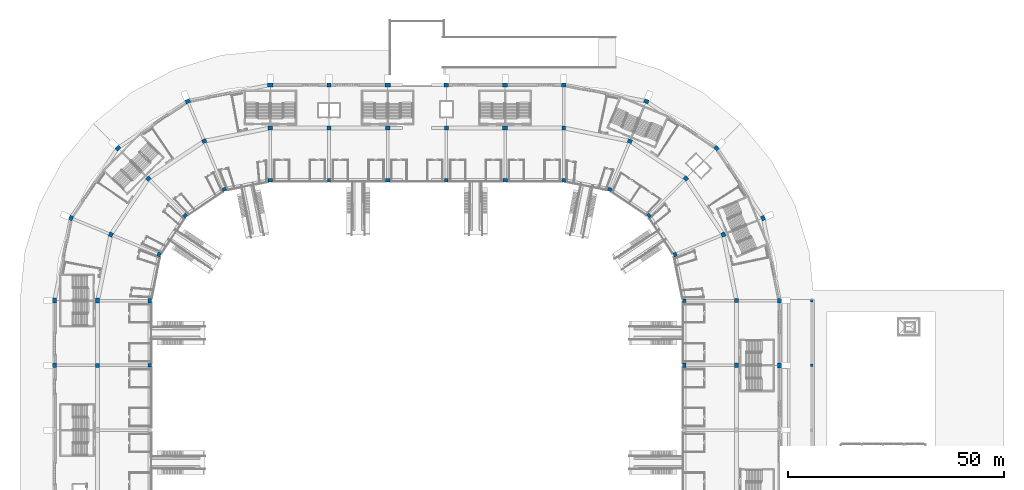
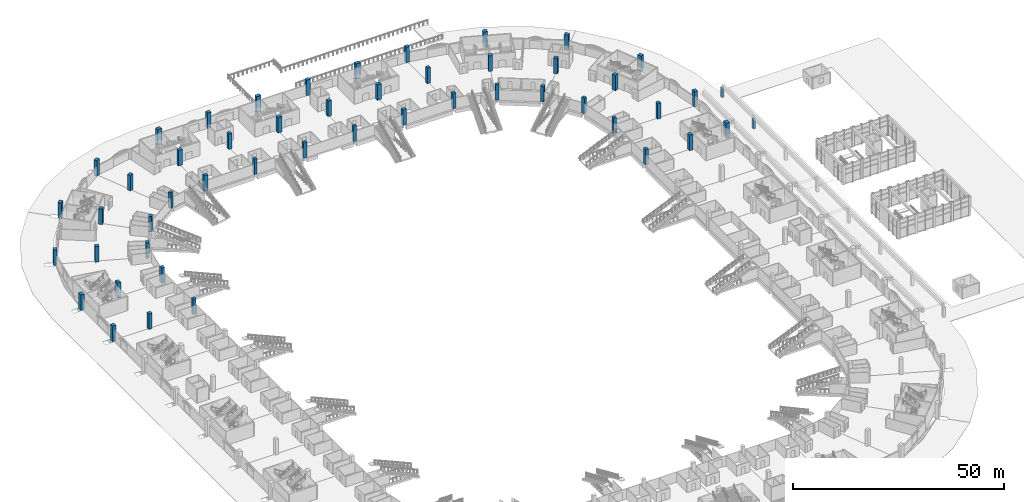
# One storey, part 3 of 175: 50 columns.
"""IFC4 building model written with IfcOpenShell, lengths in metres."""

from ifc_helpers import new_model, si_unit, direction, frame, origin, origin_2d, place, context, subcontext, project, spatial, rectangle, extrude, material, material_profile, profile_set, type_object, element, save


model = new_model("IFC4")

# Units and contexts
model_context = context("Model", 3, precision=1e-05, world=origin(), true_north=direction((0.0, 1.0)))
body_context = subcontext(model_context, "Body", "Model", "MODEL_VIEW")
ifc_project = project(units=[si_unit("LENGTHUNIT", "METRE"), si_unit("AREAUNIT", "SQUARE_METRE"), si_unit("VOLUMEUNIT", "CUBIC_METRE"), si_unit("PLANEANGLEUNIT", "RADIAN"), si_unit("MASSUNIT", "GRAM", prefix="KILO")], contexts=[model_context])

# Site, building, storey
site_placement = place(None, origin())
site = spatial("IfcSite", under=ifc_project, at=site_placement, CompositionType="ELEMENT")
building_placement = place(site_placement, origin())
building = spatial("IfcBuilding", under=site, at=building_placement, Name="Ogive Plaza Stadium", CompositionType="ELEMENT")
storey_placement = place(building_placement, origin())
storey = spatial("IfcBuildingStorey", under=building, at=storey_placement, Name="L00", CompositionType="ELEMENT", Elevation=0.0)

# Columns
ifc_material_1 = material(Name="Concrete C40/50", Category="concrete")
ifc_material_profile_1 = material_profile(ifc_material_1, rectangle(XDim=0.60009765625, YDim=0.60009765625, at=origin_2d()), Name="RC 600x600")
ifc_profile_set_1 = profile_set([ifc_material_profile_1], Name="Concrete C40/50")
column_type_1 = type_object("IfcColumnType", Name="Colonnade column RC 600x600", PredefinedType="COLUMN", material=ifc_profile_set_1)
for number, where, z_axis, x_axis, name in (
    (1, (91.5, 52.5, -0.1201171875), (0.0, 0.0, 1.0), (1.0, 0.0, 0.0), "Colonnade column R01"),
    (2, (91.5, 37.5, -0.1201171875), (0.0, 0.0, 1.0), (1.0, 0.0, 0.0), "Colonnade column R02"),
):
    element("IfcColumn", number, at=place(storey_placement, frame(where, z_axis=z_axis, x_axis=x_axis)), inside=storey, type_object=column_type_1, Name=name, PredefinedType="COLUMN", context=body_context, shape_type="SweptSolid", body=[
        extrude(rectangle(XDim=0.60009765625, YDim=0.60009765625, at=origin_2d()), origin(), (0.0, 0.0, 1.0), 2.920166015625),
    ])
ifc_material_2 = material(Name="Concrete C40/50", Category="concrete")
ifc_material_profile_2 = material_profile(ifc_material_2, rectangle(XDim=1.0, YDim=0.800048828125, at=origin_2d()), Name="RC 1000x800")
ifc_profile_set_2 = profile_set([ifc_material_profile_2], Name="Concrete C40/50")
column_type_2 = type_object("IfcColumnType", Name="RC column F3 core 1000x800", PredefinedType="COLUMN", material=ifc_profile_set_2)
for number, where, z_axis, x_axis, name in (
    (3, (61.89990234375, 37.5, 0.0), (0.0, 0.0, 1.0), (0.0, 1.0, 0.0), "Column F3 R02 L00"),
    (4, (-61.89990234375, 52.5, 0.0), (0.0, 0.0, 1.0), (0.0, -1.0, 0.0), "Column F3 R28 L00"),
    (5, (-34.0, 80.39990234375, 0.0), (0.0, 0.0, 1.0), (-1.0, 0.0, 0.0), "Column F3 R32 L00"),
    (6, (-6.800048828125, 80.39990234375, 0.0), (0.0, 0.0, 1.0), (-1.0, 0.0, 0.0), "Column F3 R34 L00"),
    (7, (20.39990234375, 80.39990234375, 0.0), (0.0, 0.0, 1.0), (-1.0, 0.0, 0.0), "Column F3 R36 L00"),
):
    element("IfcColumn", number, at=place(storey_placement, frame(where, z_axis=z_axis, x_axis=x_axis)), inside=storey, type_object=column_type_2, Name=name, PredefinedType="COLUMN", context=body_context, shape_type="SweptSolid", body=[
        extrude(rectangle(XDim=1.0, YDim=0.800048828125, at=origin_2d()), origin(), (0.0, 0.0, 1.0), 4.5),
    ])
ifc_material_3 = material(Name="Concrete C40/50", Category="concrete")
ifc_material_profile_3 = material_profile(ifc_material_3, rectangle(XDim=0.89990234375, YDim=0.800048828125, at=origin_2d()), Name="RC 900x800")
ifc_profile_set_3 = profile_set([ifc_material_profile_3], Name="Concrete C40/50")
column_type_3 = type_object("IfcColumnType", Name="RC column F3 corner 900x800", PredefinedType="COLUMN", material=ifc_profile_set_3)
for number, where, z_axis, x_axis, name in (
    (8, (-59.776123046875, 63.1767578125, 0.0), (0.0, 0.0, 1.0), (-0.382683432365, -0.923879532511, 0.0), "Column F3 R29 L00"),
    (9, (-53.728271484375, 72.228271484375, 0.0), (0.0, 0.0, 1.0), (-0.707106781187, -0.707106781187, 0.0), "Column F3 R30 L00"),
    (10, (-44.6767578125, 78.276123046875, 0.0), (0.0, 0.0, 1.0), (-0.923879532511, -0.382683432365, 0.0), "Column F3 R31 L00"),
    (11, (44.6767578125, 78.276123046875, 0.0), (0.0, 0.0, 1.0), (-0.923879532511, 0.382683432365, 0.0), "Column F3 R38 L00"),
    (12, (53.728271484375, 72.228271484375, 0.0), (0.0, 0.0, 1.0), (-0.707106781187, 0.707106781187, 0.0), "Column F3 R39 L00"),
    (13, (59.776123046875, 63.1767578125, 0.0), (0.0, 0.0, 1.0), (-0.382683432365, 0.923879532511, 0.0), "Column F3 R40 L00"),
):
    element("IfcColumn", number, at=place(storey_placement, frame(where, z_axis=z_axis, x_axis=x_axis)), inside=storey, type_object=column_type_3, Name=name, PredefinedType="COLUMN", context=body_context, shape_type="SweptSolid", body=[
        extrude(rectangle(XDim=0.89990234375, YDim=0.800048828125, at=origin_2d()), origin(), (0.0, 0.0, 1.0), 4.5),
    ])
ifc_material_4 = material(Name="Concrete C40/50", Category="concrete")
ifc_material_profile_4 = material_profile(ifc_material_4, rectangle(XDim=0.800048828125, YDim=0.800048828125, at=origin_2d()), Name="RC 800x800")
ifc_profile_set_4 = profile_set([ifc_material_profile_4], Name="Concrete C40/50")
column_type_4 = type_object("IfcColumnType", Name="RC column F3 typical 800x800", PredefinedType="COLUMN", material=ifc_profile_set_4)
for number, where, z_axis, x_axis, name in (
    (14, (61.89990234375, 52.5, 0.0), (0.0, 0.0, 1.0), (0.0, 1.0, 0.0), "Column F3 R01 L00"),
    (15, (-61.89990234375, 37.5, 0.0), (0.0, 0.0, 1.0), (0.0, -1.0, 0.0), "Column F3 R27 L00"),
    (16, (-20.39990234375, 80.39990234375, 0.0), (0.0, 0.0, 1.0), (-1.0, 0.0, 0.0), "Column F3 R33 L00"),
    (17, (6.800048828125, 80.39990234375, 0.0), (0.0, 0.0, 1.0), (-1.0, 0.0, 0.0), "Column F3 R35 L00"),
    (18, (34.0, 80.39990234375, 0.0), (0.0, 0.0, 1.0), (-1.0, 0.0, 0.0), "Column F3 R37 L00"),
):
    element("IfcColumn", number, at=place(storey_placement, frame(where, z_axis=z_axis, x_axis=x_axis)), inside=storey, type_object=column_type_4, Name=name, PredefinedType="COLUMN", context=body_context, shape_type="SweptSolid", body=[
        extrude(rectangle(XDim=0.800048828125, YDim=0.800048828125, at=origin_2d()), origin(), (0.0, 0.0, 1.0), 4.5),
    ])
ifc_material_5 = material(Name="Concrete C40/50", Category="concrete")
ifc_material_profile_5 = material_profile(ifc_material_5, rectangle(XDim=1.10009765625, YDim=0.89990234375, at=origin_2d()), Name="RC 1100x900")
ifc_profile_set_5 = profile_set([ifc_material_profile_5], Name="Concrete C40/50")
column_type_5 = type_object("IfcColumnType", Name="RC column F4 core 1100x900", PredefinedType="COLUMN", material=ifc_profile_set_5)
for number, where, z_axis, x_axis, name in (
    (19, (74.0, 37.5, 0.0), (0.0, 0.0, 1.0), (0.0, 1.0, 0.0), "Column F4 R02 L00"),
    (20, (-74.0, 52.5, 0.0), (0.0, 0.0, 1.0), (0.0, -1.0, 0.0), "Column F4 R28 L00"),
    (21, (-34.0, 92.5, 0.0), (0.0, 0.0, 1.0), (-1.0, 0.0, 0.0), "Column F4 R32 L00"),
    (22, (-6.800048828125, 92.5, 0.0), (0.0, 0.0, 1.0), (-1.0, 0.0, 0.0), "Column F4 R34 L00"),
    (23, (20.39990234375, 92.5, 0.0), (0.0, 0.0, 1.0), (-1.0, 0.0, 0.0), "Column F4 R36 L00"),
):
    element("IfcColumn", number, at=place(storey_placement, frame(where, z_axis=z_axis, x_axis=x_axis)), inside=storey, type_object=column_type_5, Name=name, PredefinedType="COLUMN", context=body_context, shape_type="SweptSolid", body=[
        extrude(rectangle(XDim=1.10009765625, YDim=0.89990234375, at=origin_2d()), origin(), (0.0, 0.0, 1.0), 4.5),
    ])
ifc_material_6 = material(Name="Concrete C40/50", Category="concrete")
ifc_material_profile_6 = material_profile(ifc_material_6, rectangle(XDim=1.0, YDim=0.89990234375, at=origin_2d()), Name="RC 1000x900")
ifc_profile_set_6 = profile_set([ifc_material_profile_6], Name="Concrete C40/50")
column_type_6 = type_object("IfcColumnType", Name="RC column F4 corner 1000x900", PredefinedType="COLUMN", material=ifc_profile_set_6)
for number, where, z_axis, x_axis, name in (
    (24, (-70.955078125, 67.807373046875, 0.0), (0.0, 0.0, 1.0), (-0.382683432365, -0.923879532511, 0.0), "Column F4 R29 L00"),
    (25, (-62.2841796875, 80.7841796875, 0.0), (0.0, 0.0, 1.0), (-0.707106781187, -0.707106781187, 0.0), "Column F4 R30 L00"),
    (26, (-49.307373046875, 89.455078125, 0.0), (0.0, 0.0, 1.0), (-0.923879532511, -0.382683432365, 0.0), "Column F4 R31 L00"),
    (27, (49.307373046875, 89.455078125, 0.0), (0.0, 0.0, 1.0), (-0.923879532511, 0.382683432365, 0.0), "Column F4 R38 L00"),
    (28, (62.2841796875, 80.7841796875, 0.0), (0.0, 0.0, 1.0), (-0.707106781187, 0.707106781187, 0.0), "Column F4 R39 L00"),
    (29, (70.955078125, 67.807373046875, 0.0), (0.0, 0.0, 1.0), (-0.382683432365, 0.923879532511, 0.0), "Column F4 R40 L00"),
):
    element("IfcColumn", number, at=place(storey_placement, frame(where, z_axis=z_axis, x_axis=x_axis)), inside=storey, type_object=column_type_6, Name=name, PredefinedType="COLUMN", context=body_context, shape_type="SweptSolid", body=[
        extrude(rectangle(XDim=1.0, YDim=0.89990234375, at=origin_2d()), origin(), (0.0, 0.0, 1.0), 4.5),
    ])
ifc_material_7 = material(Name="Concrete C40/50", Category="concrete")
ifc_material_profile_7 = material_profile(ifc_material_7, rectangle(XDim=0.89990234375, YDim=0.89990234375, at=origin_2d()), Name="RC 900x900")
ifc_profile_set_7 = profile_set([ifc_material_profile_7], Name="Concrete C40/50")
column_type_7 = type_object("IfcColumnType", Name="RC column F4 typical 900x900", PredefinedType="COLUMN", material=ifc_profile_set_7)
for number, where, z_axis, x_axis, name in (
    (30, (74.0, 52.5, 0.0), (0.0, 0.0, 1.0), (0.0, 1.0, 0.0), "Column F4 R01 L00"),
    (31, (-74.0, 37.5, 0.0), (0.0, 0.0, 1.0), (0.0, -1.0, 0.0), "Column F4 R27 L00"),
    (32, (-20.39990234375, 92.5, 0.0), (0.0, 0.0, 1.0), (-1.0, 0.0, 0.0), "Column F4 R33 L00"),
    (33, (6.800048828125, 92.5, 0.0), (0.0, 0.0, 1.0), (-1.0, 0.0, 0.0), "Column F4 R35 L00"),
    (34, (34.0, 92.5, 0.0), (0.0, 0.0, 1.0), (-1.0, 0.0, 0.0), "Column F4 R37 L00"),
):
    element("IfcColumn", number, at=place(storey_placement, frame(where, z_axis=z_axis, x_axis=x_axis)), inside=storey, type_object=column_type_7, Name=name, PredefinedType="COLUMN", context=body_context, shape_type="SweptSolid", body=[
        extrude(rectangle(XDim=0.89990234375, YDim=0.89990234375, at=origin_2d()), origin(), (0.0, 0.0, 1.0), 4.5),
    ])
ifc_material_8 = material(Name="Concrete C40/50", Category="concrete")
ifc_material_profile_8 = material_profile(ifc_material_8, rectangle(XDim=1.199951171875, YDim=0.89990234375, at=origin_2d()), Name="RC 1200x900")
ifc_profile_set_8 = profile_set([ifc_material_profile_8], Name="Concrete C40/50")
column_type_8 = type_object("IfcColumnType", Name="RC column F5 core 1200x900", PredefinedType="COLUMN", material=ifc_profile_set_8)
for number, where, z_axis, x_axis, name in (
    (35, (84.0, 37.5, 0.0), (0.0, 0.0, 1.0), (0.0, 1.0, 0.0), "Column F5 R02 L00"),
    (36, (-84.0, 52.5, 0.0), (0.0, 0.0, 1.0), (0.0, -1.0, 0.0), "Column F5 R28 L00"),
    (37, (-34.0, 102.5, 0.0), (0.0, 0.0, 1.0), (-1.0, 0.0, 0.0), "Column F5 R32 L00"),
    (38, (-6.800048828125, 102.5, 0.0), (0.0, 0.0, 1.0), (-1.0, 0.0, 0.0), "Column F5 R34 L00"),
    (39, (20.39990234375, 102.5, 0.0), (0.0, 0.0, 1.0), (-1.0, 0.0, 0.0), "Column F5 R36 L00"),
):
    element("IfcColumn", number, at=place(storey_placement, frame(where, z_axis=z_axis, x_axis=x_axis)), inside=storey, type_object=column_type_8, Name=name, PredefinedType="COLUMN", context=body_context, shape_type="SweptSolid", body=[
        extrude(rectangle(XDim=1.199951171875, YDim=0.89990234375, at=origin_2d()), origin(), (0.0, 0.0, 1.0), 4.5),
    ])
ifc_material_9 = material(Name="Concrete C40/50", Category="concrete")
ifc_material_profile_9 = material_profile(ifc_material_9, rectangle(XDim=1.10009765625, YDim=0.89990234375, at=origin_2d()), Name="RC 1100x900")
ifc_profile_set_9 = profile_set([ifc_material_profile_9], Name="Concrete C40/50")
column_type_9 = type_object("IfcColumnType", Name="RC column F5 corner 1100x900", PredefinedType="COLUMN", material=ifc_profile_set_9)
for number, where, z_axis, x_axis, name in (
    (40, (-80.194091796875, 71.63427734375, 0.0), (0.0, 0.0, 1.0), (-0.382683432365, -0.923879532511, 0.0), "Column F5 R29 L00"),
    (41, (-69.355224609375, 87.855224609375, 0.0), (0.0, 0.0, 1.0), (-0.707106781187, -0.707106781187, 0.0), "Column F5 R30 L00"),
    (42, (-53.13427734375, 98.694091796875, 0.0), (0.0, 0.0, 1.0), (-0.923879532511, -0.382683432365, 0.0), "Column F5 R31 L00"),
    (43, (53.13427734375, 98.694091796875, 0.0), (0.0, 0.0, 1.0), (-0.923879532511, 0.382683432365, 0.0), "Column F5 R38 L00"),
    (44, (69.355224609375, 87.855224609375, 0.0), (0.0, 0.0, 1.0), (-0.707106781187, 0.707106781187, 0.0), "Column F5 R39 L00"),
    (45, (80.194091796875, 71.63427734375, 0.0), (0.0, 0.0, 1.0), (-0.382683432365, 0.923879532511, 0.0), "Column F5 R40 L00"),
):
    element("IfcColumn", number, at=place(storey_placement, frame(where, z_axis=z_axis, x_axis=x_axis)), inside=storey, type_object=column_type_9, Name=name, PredefinedType="COLUMN", context=body_context, shape_type="SweptSolid", body=[
        extrude(rectangle(XDim=1.10009765625, YDim=0.89990234375, at=origin_2d()), origin(), (0.0, 0.0, 1.0), 4.5),
    ])
ifc_material_10 = material(Name="Concrete C40/50", Category="concrete")
ifc_material_profile_10 = material_profile(ifc_material_10, rectangle(XDim=1.0, YDim=0.89990234375, at=origin_2d()), Name="RC 1000x900")
ifc_profile_set_10 = profile_set([ifc_material_profile_10], Name="Concrete C40/50")
column_type_10 = type_object("IfcColumnType", Name="RC column F5 typical 1000x900", PredefinedType="COLUMN", material=ifc_profile_set_10)
for number, where, z_axis, x_axis, name in (
    (46, (84.0, 52.5, 0.0), (0.0, 0.0, 1.0), (0.0, 1.0, 0.0), "Column F5 R01 L00"),
    (47, (-84.0, 37.5, 0.0), (0.0, 0.0, 1.0), (0.0, -1.0, 0.0), "Column F5 R27 L00"),
    (48, (-20.39990234375, 102.5, 0.0), (0.0, 0.0, 1.0), (-1.0, 0.0, 0.0), "Column F5 R33 L00"),
    (49, (6.800048828125, 102.5, 0.0), (0.0, 0.0, 1.0), (-1.0, 0.0, 0.0), "Column F5 R35 L00"),
    (50, (34.0, 102.5, 0.0), (0.0, 0.0, 1.0), (-1.0, 0.0, 0.0), "Column F5 R37 L00"),
):
    element("IfcColumn", number, at=place(storey_placement, frame(where, z_axis=z_axis, x_axis=x_axis)), inside=storey, type_object=column_type_10, Name=name, PredefinedType="COLUMN", context=body_context, shape_type="SweptSolid", body=[
        extrude(rectangle(XDim=1.0, YDim=0.89990234375, at=origin_2d()), origin(), (0.0, 0.0, 1.0), 4.5),
    ])

save(model, "model.ifc")
